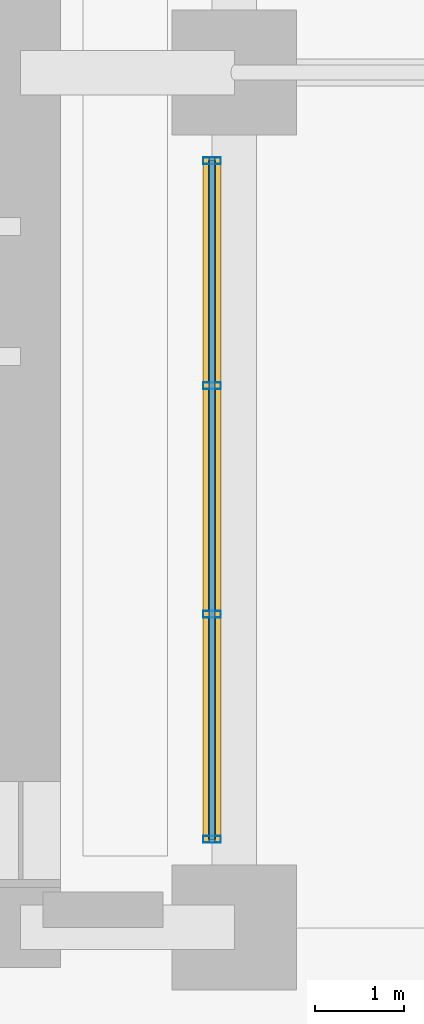
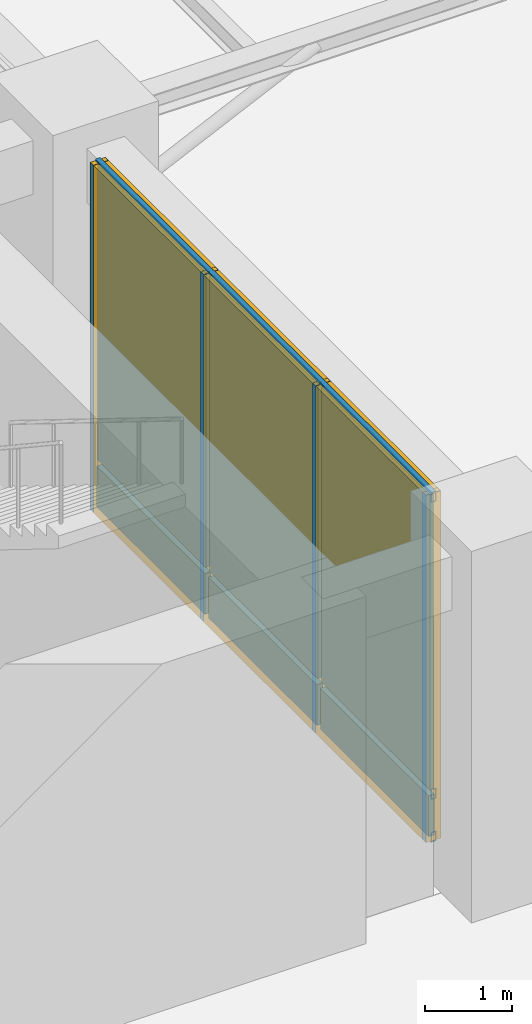
# One storey, part 9 of 24: 7 members, 6 plates, 1 curtain wall.
"""IFC4 building model written with IfcOpenShell, lengths in metres."""

from ifc_helpers import new_model, si_unit, direction, frame, frame_2d, origin, origin_2d, place, context, subcontext, project, spatial, rectangle, hollow_rectangle, extrude, material, layer, layer_set, material_profile, profile_set, type_object, element, aggregate, save


model = new_model("IFC4")

# Units and contexts
model_context = context("Model", 3, precision=1e-05, world=origin(), true_north=direction((0.0, 1.0)))
body_context = subcontext(model_context, "Body", "Model", "MODEL_VIEW")
ifc_project = project(units=[si_unit("LENGTHUNIT", "METRE"), si_unit("AREAUNIT", "SQUARE_METRE"), si_unit("VOLUMEUNIT", "CUBIC_METRE"), si_unit("PLANEANGLEUNIT", "RADIAN"), si_unit("MASSUNIT", "GRAM", prefix="KILO")], contexts=[model_context])

# Member
ifc_material_1 = material(Name="Anodized Aluminium 6063-T6", Category="aluminium")
ifc_material_profile_1 = material_profile(ifc_material_1, hollow_rectangle(XDim=0.074951171875, YDim=0.199951171875, WallThickness=0.00390625, at=origin_2d()), Name="Anodized Aluminium 6063-T6")
ifc_profile_set_1 = profile_set([ifc_material_profile_1], Name="Anodized Aluminium 6063-T6")
member_type_1 = type_object("IfcMemberType", Name="Curtain Wall Mullion 200", PredefinedType="MULLION", material=ifc_profile_set_1)
site_placement = place(None, origin())
building_placement = place(site_placement, origin())
storey_placement = place(building_placement, origin())
member_1_placement = place(storey_placement, frame((18.949951171875, 10.590087890625, 0.0), z_axis=(0.0, 0.0, 1.0), x_axis=(0.0, 1.0, 0.0)))
member_1 = element("IfcMember", 1, at=member_1_placement, type_object=member_type_1, Name="Curtain Wall Mullion CW-L00-LOB-S1-M01", PredefinedType="MULLION", context=body_context, shape_type="SweptSolid", body=[
    extrude(hollow_rectangle(XDim=0.074951171875, YDim=0.199951171875, WallThickness=0.00390625, at=origin_2d()), origin(), (0.0, 0.0, 1.0), 4.860107421875),
])

member_2_placement = place(storey_placement, frame((18.949951171875, 13.11669921875, 0.0), z_axis=(0.0, 0.0, 1.0), x_axis=(0.0, 1.0, 0.0)))
member_2 = element("IfcMember", 2, at=member_2_placement, type_object=member_type_1, Name="Curtain Wall Mullion CW-L00-LOB-S1-M02", PredefinedType="MULLION", context=body_context, shape_type="SweptSolid", body=[
    extrude(hollow_rectangle(XDim=0.074951171875, YDim=0.199951171875, WallThickness=0.00390625, at=origin_2d()), origin(), (0.0, 0.0, 1.0), 4.860107421875),
])

member_3_placement = place(storey_placement, frame((18.949951171875, 15.683349609375, 0.0), z_axis=(0.0, 0.0, 1.0), x_axis=(0.0, 1.0, 0.0)))
member_3 = element("IfcMember", 3, at=member_3_placement, type_object=member_type_1, Name="Curtain Wall Mullion CW-L00-LOB-S1-M03", PredefinedType="MULLION", context=body_context, shape_type="SweptSolid", body=[
    extrude(hollow_rectangle(XDim=0.074951171875, YDim=0.199951171875, WallThickness=0.00390625, at=origin_2d()), origin(), (0.0, 0.0, 1.0), 4.860107421875),
])

member_4_placement = place(storey_placement, frame((18.949951171875, 18.2099609375, 0.0), z_axis=(0.0, 0.0, 1.0), x_axis=(0.0, 1.0, 0.0)))
member_4 = element("IfcMember", 4, at=member_4_placement, type_object=member_type_1, Name="Curtain Wall Mullion CW-L00-LOB-S1-M04", PredefinedType="MULLION", context=body_context, shape_type="SweptSolid", body=[
    extrude(hollow_rectangle(XDim=0.074951171875, YDim=0.199951171875, WallThickness=0.00390625, at=origin_2d()), origin(), (0.0, 0.0, 1.0), 4.860107421875),
])

ifc_material_profile_2 = material_profile(ifc_material_1, hollow_rectangle(XDim=0.06494140625, YDim=0.139892578125, WallThickness=0.00341796875, at=origin_2d()), Name="Anodized Aluminium 6063-T6")
ifc_profile_set_2 = profile_set([ifc_material_profile_2], Name="Anodized Aluminium 6063-T6")
member_type_2 = type_object("IfcMemberType", Name="Curtain Wall Transom 140", PredefinedType="USERDEFINED", material=ifc_profile_set_2)
member_5_placement = place(storey_placement, frame((18.949951171875, 10.550048828125, 0.050048828125), z_axis=(0.0, 1.0, 0.0), x_axis=(-1.0, 0.0, 0.0)))
member_5 = element("IfcMember", 5, at=member_5_placement, type_object=member_type_2, Name="Curtain Wall Transom CW-L00-LOB-S1-T01", ObjectType="TRANSOM", PredefinedType="USERDEFINED", context=body_context, shape_type="SweptSolid", body=[
    extrude(hollow_rectangle(XDim=0.06494140625, YDim=0.139892578125, WallThickness=0.00341796875, at=origin_2d()), origin(), (0.0, 0.0, 1.0), 7.699951171875),
])

member_6_placement = place(storey_placement, frame((18.949951171875, 10.550048828125, 0.64990234375), z_axis=(0.0, 1.0, 0.0), x_axis=(-1.0, 0.0, 0.0)))
member_6 = element("IfcMember", 6, at=member_6_placement, type_object=member_type_2, Name="Curtain Wall Transom CW-L00-LOB-S1-T02", ObjectType="TRANSOM", PredefinedType="USERDEFINED", context=body_context, shape_type="SweptSolid", body=[
    extrude(hollow_rectangle(XDim=0.06494140625, YDim=0.139892578125, WallThickness=0.00341796875, at=origin_2d()), origin(), (0.0, 0.0, 1.0), 7.699951171875),
])

member_7_placement = place(storey_placement, frame((18.949951171875, 10.550048828125, 4.81005859375), z_axis=(0.0, 1.0, 0.0), x_axis=(-1.0, 0.0, 0.0)))
member_7 = element("IfcMember", 7, at=member_7_placement, type_object=member_type_2, Name="Curtain Wall Transom CW-L00-LOB-S1-T03", ObjectType="TRANSOM", PredefinedType="USERDEFINED", context=body_context, shape_type="SweptSolid", body=[
    extrude(hollow_rectangle(XDim=0.06494140625, YDim=0.139892578125, WallThickness=0.00341796875, at=origin_2d()), origin(), (0.0, 0.0, 1.0), 7.699951171875),
])

# Plate
ifc_material_2 = material(Name="Bird-Friendly Fritted Triple Glazing", Category="glass")
ifc_layer_1 = layer(ifc_material_2, 0.052001953125, Name="Bird-Friendly Fritted Triple Glazing")
ifc_layer_set_1 = layer_set([ifc_layer_1], Name="Bird-Friendly Fritted Triple Glazing")
plate_type_1 = type_object("IfcPlateType", Name="Plate CWGlazing 52", PredefinedType="CURTAIN_PANEL", material=ifc_layer_set_1)
plate_1_placement = place(storey_placement, frame((18.949951171875, 11.833251953125, 0.68994140625), z_axis=(0.0, 0.0, 1.0), x_axis=(0.0, 1.0, 0.0)))
plate_1 = element("IfcPlate", 8, at=plate_1_placement, type_object=plate_type_1, Name="Vision Glazing Panel CW-L00-LOB-S1-GL01", PredefinedType="CURTAIN_PANEL", context=body_context, shape_type="SweptSolid", body=[
    extrude(rectangle(XDim=2.48681640625, YDim=0.052001953125, at=origin_2d()), origin(), (0.0, 0.0, 1.0), 4.1298828125),
])

plate_2_placement = place(storey_placement, frame((18.949951171875, 14.39990234375, 0.68994140625), z_axis=(0.0, 0.0, 1.0), x_axis=(0.0, 1.0, 0.0)))
plate_2 = element("IfcPlate", 9, at=plate_2_placement, type_object=plate_type_1, Name="Vision Glazing Panel CW-L00-LOB-S1-GL02", PredefinedType="CURTAIN_PANEL", context=body_context, shape_type="SweptSolid", body=[
    extrude(rectangle(XDim=2.48681640625, YDim=0.052001953125, at=origin_2d()), origin(), (0.0, 0.0, 1.0), 4.1298828125),
])

plate_3_placement = place(storey_placement, frame((18.949951171875, 16.966796875, 0.68994140625), z_axis=(0.0, 0.0, 1.0), x_axis=(0.0, 1.0, 0.0)))
plate_3 = element("IfcPlate", 10, at=plate_3_placement, type_object=plate_type_1, Name="Vision Glazing Panel CW-L00-LOB-S1-GL03", PredefinedType="CURTAIN_PANEL", context=body_context, shape_type="SweptSolid", body=[
    extrude(rectangle(XDim=2.48681640625, YDim=0.052001953125, at=origin_2d()), origin(), (0.0, 0.0, 1.0), 4.1298828125),
])

ifc_material_3 = material(Name="Insulated Aluminium Spandrel Panel", Category="aluminium")
ifc_layer_2 = layer(ifc_material_3, 0.080078125, Name="Insulated Aluminium Spandrel Panel")
ifc_layer_set_2 = layer_set([ifc_layer_2], Name="Insulated Aluminium Spandrel Panel")
plate_type_2 = type_object("IfcPlateType", Name="Plate CWSpandrel 80", PredefinedType="SHEET", material=ifc_layer_set_2)
plate_4_placement = place(storey_placement, frame((18.949951171875, 11.833251953125, 0.0400390625), z_axis=(0.0, 0.0, 1.0), x_axis=(0.0, 1.0, 0.0)))
plate_4 = element("IfcPlate", 11, at=plate_4_placement, type_object=plate_type_2, Name="Spandrel Panel CW-L00-LOB-S1-SP01", PredefinedType="SHEET", context=body_context, shape_type="SweptSolid", body=[
    extrude(rectangle(XDim=2.48681640625, YDim=0.080078125, at=origin_2d()), origin(), (0.0, 0.0, 1.0), 0.570068359375),
])

plate_5_placement = place(storey_placement, frame((18.949951171875, 14.39990234375, 0.0400390625), z_axis=(0.0, 0.0, 1.0), x_axis=(0.0, 1.0, 0.0)))
plate_5 = element("IfcPlate", 12, at=plate_5_placement, type_object=plate_type_2, Name="Spandrel Panel CW-L00-LOB-S1-SP02", PredefinedType="SHEET", context=body_context, shape_type="SweptSolid", body=[
    extrude(rectangle(XDim=2.48681640625, YDim=0.080078125, at=origin_2d()), origin(), (0.0, 0.0, 1.0), 0.570068359375),
])

plate_6_placement = place(storey_placement, frame((18.949951171875, 16.966796875, 0.0400390625), z_axis=(0.0, 0.0, 1.0), x_axis=(0.0, 1.0, 0.0)))
plate_6 = element("IfcPlate", 13, at=plate_6_placement, type_object=plate_type_2, Name="Spandrel Panel CW-L00-LOB-S1-SP03", PredefinedType="SHEET", context=body_context, shape_type="SweptSolid", body=[
    extrude(rectangle(XDim=2.48681640625, YDim=0.080078125, at=origin_2d()), origin(), (0.0, 0.0, 1.0), 0.570068359375),
])

# Site, building, storey
site = spatial("IfcSite", under=ifc_project, at=site_placement, CompositionType="ELEMENT")
building = spatial("IfcBuilding", under=site, at=building_placement, Name="Norrvale University Quadrangle", CompositionType="ELEMENT")
storey = spatial("IfcBuildingStorey", under=building, at=storey_placement, Name="L00", CompositionType="ELEMENT", Elevation=0.0)

# Curtain wall
ifc_material_4 = material(Name="Anodized Aluminium and Triple Glazing", Category="glass")
curtain_wall_type = type_object("IfcCurtainWallType", Name="Curtain Wall System 1 Pilotis Lobby", PredefinedType="NOTDEFINED", material=ifc_material_4)
curtain_wall_placement = place(storey_placement, frame((18.949951171875, 10.550048828125, 0.0), z_axis=(0.0, 0.0, 1.0), x_axis=(0.0, 1.0, 0.0)))
curtain_wall = element("IfcCurtainWall", 14, at=curtain_wall_placement, inside=storey, type_object=curtain_wall_type, Name="Curtain Wall CW System 1 Pilotis Lobby CW-L00-LOB-S1", PredefinedType="NOTDEFINED", context=body_context, shape_type="SweptSolid", body=[
    extrude(rectangle(XDim=7.699951171875, YDim=0.199951171875, at=frame_2d((3.85009765625, 0.0))), origin(), (0.0, 0.0, 1.0), 4.860107421875),
])

aggregate(curtain_wall, [member_1, member_2, member_3, member_4, member_5, member_6, member_7, plate_4, plate_1, plate_5, plate_2, plate_6, plate_3])

save(model, "model.ifc")
